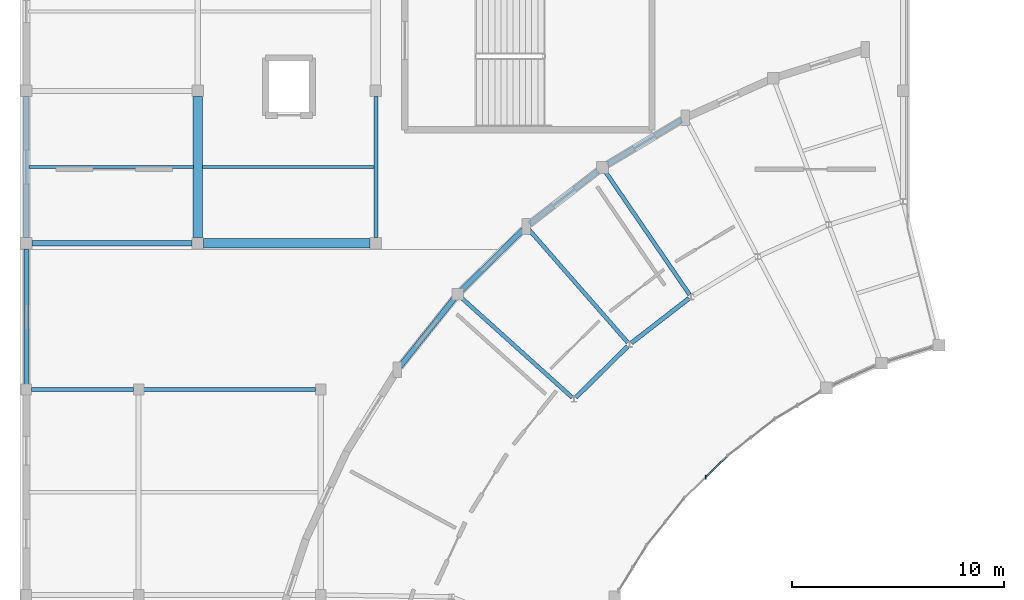
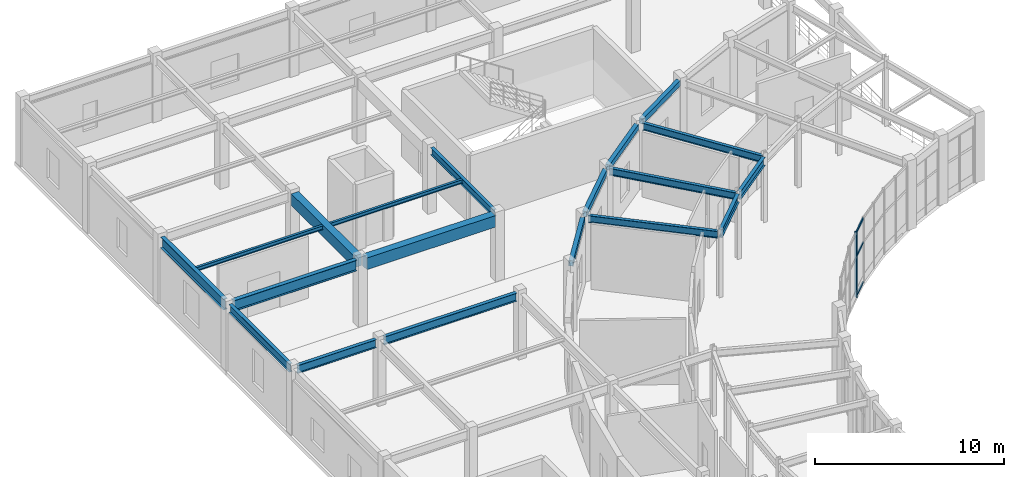
# One storey, part 49 of 112: 19 beams, 4 members, 1 element without a shape of its own.
"""IFC4 building model written with IfcOpenShell, lengths in metres."""

from ifc_helpers import new_model, si_unit, direction, frame, origin, origin_2d, place, context, subcontext, project, spatial, rectangle, hollow_rectangle, i_section, extrude, material, material_profile, profile_set, type_object, element, aggregate, save


model = new_model("IFC4")

# Units and contexts
model_context = context("Model", 3, precision=1e-05, world=origin(), true_north=direction((0.0, 1.0)))
body_context = subcontext(model_context, "Body", "Model", "MODEL_VIEW")
ifc_project = project(units=[si_unit("LENGTHUNIT", "METRE"), si_unit("AREAUNIT", "SQUARE_METRE"), si_unit("VOLUMEUNIT", "CUBIC_METRE"), si_unit("PLANEANGLEUNIT", "RADIAN"), si_unit("MASSUNIT", "GRAM", prefix="KILO")], contexts=[model_context])

# Site, building, storey
site_placement = place(None, origin())
site = spatial("IfcSite", under=ifc_project, at=site_placement, CompositionType="ELEMENT")
building_placement = place(site_placement, origin())
building = spatial("IfcBuilding", under=site, at=building_placement, Name="Cinderbank Siding Concert Hall", CompositionType="ELEMENT")
storey_placement = place(building_placement, frame((0.0, 0.0, 10.199951171875)))
storey = spatial("IfcBuildingStorey", under=building, at=storey_placement, Name="L03", CompositionType="ELEMENT", Elevation=10.199951171875)

# Beams
ifc_material_1 = material(Name="Reinforced concrete AS 3600 N50 (50 MPa)", Category="concrete")
ifc_material_profile_1 = material_profile(ifc_material_1, rectangle(XDim=0.449951171875, YDim=0.75, at=origin_2d()), Name="RC-BM-450x750", Category="LoadBearing")
ifc_profile_set_1 = profile_set([ifc_material_profile_1], Name="Reinforced concrete AS 3600 N50 (50 MPa)")
beam_type_1 = type_object("IfcBeamType", Name="BM-RC750 RC-BM-450x750", PredefinedType="BEAM", material=ifc_profile_set_1)
beam_1_placement = place(storey_placement, frame((15.467041015625, 96.10009765625, 3.886962890625), z_axis=(1.0, 0.0, 0.0), x_axis=(0.0, 1.0, 0.0)))
element("IfcBeam", 1, at=beam_1_placement, inside=storey, type_object=beam_type_1, Name="L03 Beam BM-RC750 #1767", PredefinedType="BEAM", context=body_context, shape_type="SweptSolid", body=[
    extrude(rectangle(XDim=0.449951171875, YDim=0.75, at=origin_2d()), origin(), (0.0, 0.0, 1.0), 7.865966796875),
])
beam_2_placement = place(storey_placement, frame((15.199951171875, 96.366943359375, 3.886962890625), z_axis=(0.0, 1.0, 0.0), x_axis=(-1.0, 0.0, 0.0)))
element("IfcBeam", 2, at=beam_2_placement, inside=storey, type_object=beam_type_1, Name="L03 Beam BM-RC750 #1768", PredefinedType="BEAM", context=body_context, shape_type="SweptSolid", body=[
    extrude(rectangle(XDim=0.449951171875, YDim=0.75, at=origin_2d()), origin(), (0.0, 0.0, 1.0), 6.666015625),
])
ifc_material_2 = material(Name="Structural steel AS/NZS 3679.1 Grade 350 (340 MPa)", Category="steel")
ifc_material_profile_2 = material_profile(ifc_material_2, i_section(OverallWidth=0.18994140625, OverallDepth=0.45751953125, WebThickness=0.009033203125, FlangeThickness=0.014404296875, at=origin_2d()), Name="460UB74.6", Category="LoadBearing")
ifc_profile_set_2 = profile_set([ifc_material_profile_2], Name="Structural steel AS/NZS 3679.1 Grade 350 (340 MPa)")
beam_type_2 = type_object("IfcBeamType", Name="BM-UB460 460UB74.6", PredefinedType="BEAM", material=ifc_profile_set_2)
beam_3_placement = place(storey_placement, frame((38.418212890625, 93.677490234375, 4.013427734375), z_axis=(-0.564964678177, 0.825115090404, 0.0), x_axis=(-0.825115090404, -0.564964678177, 0.0)))
element("IfcBeam", 3, at=beam_3_placement, inside=storey, type_object=beam_type_2, Name="L03 Beam BM-UB460 #996", PredefinedType="BEAM", context=body_context, shape_type="SweptSolid", body=[
    extrude(i_section(OverallWidth=0.18994140625, OverallDepth=0.45751953125, WebThickness=0.009033203125, FlangeThickness=0.014404296875, at=origin_2d()), origin(), (0.0, 0.0, 1.0), 7.01318359375),
])
beam_4_placement = place(storey_placement, frame((35.501708984375, 91.415283203125, 4.013427734375), z_axis=(-0.658709419327, 0.752397435462, 0.0), x_axis=(-0.752397435462, -0.658709419327, 0.0)))
element("IfcBeam", 4, at=beam_4_placement, inside=storey, type_object=beam_type_2, Name="L03 Beam BM-UB460 #999", PredefinedType="BEAM", context=body_context, shape_type="SweptSolid", body=[
    extrude(i_section(OverallWidth=0.18994140625, OverallDepth=0.45751953125, WebThickness=0.009033203125, FlangeThickness=0.014404296875, at=origin_2d()), origin(), (0.0, 0.0, 1.0), 7.088134765625),
])
beam_5_placement = place(storey_placement, frame((32.873291015625, 88.8232421875, 4.013427734375), z_axis=(-0.74314352947, 0.669132045718, 0.0), x_axis=(-0.669132045718, -0.74314352947, 0.0)))
element("IfcBeam", 5, at=beam_5_placement, inside=storey, type_object=beam_type_2, Name="L03 Beam BM-UB460 #1002", PredefinedType="BEAM", context=body_context, shape_type="SweptSolid", body=[
    extrude(i_section(OverallWidth=0.18994140625, OverallDepth=0.45751953125, WebThickness=0.009033203125, FlangeThickness=0.014404296875, at=origin_2d()), origin(), (0.0, 0.0, 1.0), 7.012939453125),
])
beam_6_placement = place(storey_placement, frame((23.60009765625, 96.366943359375, 4.033447265625), z_axis=(0.0, 1.0, 0.0), x_axis=(-1.0, 0.0, 0.0)))
element("IfcBeam", 6, at=beam_6_placement, inside=storey, type_object=beam_type_2, Name="L03 Beam BM-UB460 #1773", PredefinedType="BEAM", context=body_context, shape_type="SweptSolid", body=[
    extrude(i_section(OverallWidth=0.18994140625, OverallDepth=0.45751953125, WebThickness=0.009033203125, FlangeThickness=0.014404296875, at=origin_2d()), origin(), (0.0, 0.0, 1.0), 6.666015625),
])
ifc_material_profile_3 = material_profile(ifc_material_2, i_section(OverallWidth=0.208984375, OverallDepth=0.5283203125, WebThickness=0.009521484375, FlangeThickness=0.01318359375, at=origin_2d()), Name="530UB82.0", Category="LoadBearing")
ifc_profile_set_3 = profile_set([ifc_material_profile_3], Name="Structural steel AS/NZS 3679.1 Grade 350 (340 MPa)")
beam_type_3 = type_object("IfcBeamType", Name="BM-UB530 530UB82.0", PredefinedType="BEAM", material=ifc_profile_set_3)
beam_7_placement = place(storey_placement, frame((38.39111328125, 93.5048828125, 3.97802734375), z_axis=(-0.790177677978, -0.612877832218, 0.0), x_axis=(0.612877832218, -0.790177677978, 0.0)))
element("IfcBeam", 7, at=beam_7_placement, inside=storey, type_object=beam_type_3, Name="L03 Beam BM-UB530 #997", PredefinedType="BEAM", context=body_context, shape_type="SweptSolid", body=[
    extrude(i_section(OverallWidth=0.208984375, OverallDepth=0.5283203125, WebThickness=0.009521484375, FlangeThickness=0.01318359375, at=origin_2d()), origin(), (0.0, 0.0, 1.0), 3.43701171875),
])
beam_8_placement = place(storey_placement, frame((35.4951171875, 91.240478515625, 3.97802734375), z_axis=(-0.712061795805, -0.702116798656, 0.0), x_axis=(0.702116798656, -0.712061795805, 0.0)))
element("IfcBeam", 8, at=beam_8_placement, inside=storey, type_object=beam_type_3, Name="L03 Beam BM-UB530 #1000", PredefinedType="BEAM", context=body_context, shape_type="SweptSolid", body=[
    extrude(i_section(OverallWidth=0.208984375, OverallDepth=0.5283203125, WebThickness=0.009521484375, FlangeThickness=0.01318359375, at=origin_2d()), origin(), (0.0, 0.0, 1.0), 3.436767578125),
])
beam_9_placement = place(storey_placement, frame((7.342041015625, 89.199951171875, 3.998046875), z_axis=(1.0, 0.0, 0.0), x_axis=(0.0, 1.0, 0.0)))
element("IfcBeam", 9, at=beam_9_placement, inside=storey, type_object=beam_type_3, Name="L03 Beam BM-UB530 #1808", PredefinedType="BEAM", context=body_context, shape_type="SweptSolid", body=[
    extrude(i_section(OverallWidth=0.208984375, OverallDepth=0.5283203125, WebThickness=0.009521484375, FlangeThickness=0.01318359375, at=origin_2d()), origin(), (0.0, 0.0, 1.0), 4.81591796875),
])
beam_10_placement = place(storey_placement, frame((7.10009765625, 89.44189453125, 3.998046875), z_axis=(0.0, 1.0, 0.0), x_axis=(-1.0, 0.0, 0.0)))
element("IfcBeam", 10, at=beam_10_placement, inside=storey, type_object=beam_type_3, Name="L03 Beam BM-UB530 #1809", PredefinedType="BEAM", context=body_context, shape_type="SweptSolid", body=[
    extrude(i_section(OverallWidth=0.208984375, OverallDepth=0.5283203125, WebThickness=0.009521484375, FlangeThickness=0.01318359375, at=origin_2d()), origin(), (0.0, 0.0, 1.0), 6.39111328125),
])
beam_11_placement = place(storey_placement, frame((12.64208984375, 89.199951171875, 3.998046875), z_axis=(1.0, 0.0, 0.0), x_axis=(0.0, 1.0, 0.0)))
element("IfcBeam", 11, at=beam_11_placement, inside=storey, type_object=beam_type_3, Name="L03 Beam BM-UB530 #1817", PredefinedType="BEAM", context=body_context, shape_type="SweptSolid", body=[
    extrude(i_section(OverallWidth=0.208984375, OverallDepth=0.5283203125, WebThickness=0.009521484375, FlangeThickness=0.01318359375, at=origin_2d()), origin(), (0.0, 0.0, 1.0), 8.115966796875),
])
ifc_material_3 = material(Name="Structural steel welded plate section AS/NZS 3679.2 / AS/NZS 3678 Grade 350 (340 MPa)", Category="steel")
ifc_material_profile_4 = material_profile(ifc_material_3, i_section(OverallWidth=0.25, OverallDepth=0.699951171875, WebThickness=0.010009765625, FlangeThickness=0.01611328125, at=origin_2d()), Name="700WB130", Category="LoadBearing")
ifc_profile_set_4 = profile_set([ifc_material_profile_4], Name="Structural steel welded plate section AS/NZS 3679.2 / AS/NZS 3678 Grade 350 (340 MPa)")
beam_type_4 = type_object("IfcBeamType", Name="BM-WB700 700WB130", PredefinedType="BEAM", material=ifc_profile_set_4)
beam_12_placement = place(storey_placement, frame((7.366943359375, 96.10009765625, 3.912109375), z_axis=(1.0, 0.0, 0.0), x_axis=(0.0, 1.0, 0.0)))
element("IfcBeam", 12, at=beam_12_placement, inside=storey, type_object=beam_type_4, Name="L03 Beam BM-WB700 #1760", PredefinedType="BEAM", context=body_context, shape_type="SweptSolid", body=[
    extrude(i_section(OverallWidth=0.25, OverallDepth=0.699951171875, WebThickness=0.010009765625, FlangeThickness=0.01611328125, at=origin_2d()), origin(), (0.0, 0.0, 1.0), 7.566162109375),
])
beam_13_placement = place(storey_placement, frame((7.10009765625, 96.366943359375, 3.912109375), z_axis=(0.0, 1.0, 0.0), x_axis=(-1.0, 0.0, 0.0)))
element("IfcBeam", 13, at=beam_13_placement, inside=storey, type_object=beam_type_4, Name="L03 Beam BM-WB700 #1761", PredefinedType="BEAM", context=body_context, shape_type="SweptSolid", body=[
    extrude(i_section(OverallWidth=0.25, OverallDepth=0.699951171875, WebThickness=0.010009765625, FlangeThickness=0.01611328125, at=origin_2d()), origin(), (0.0, 0.0, 1.0), 6.666015625),
])

# Curtain wall, members
ifc_material_4 = material(Name="Anodised aluminium alloy 6063-T6", Category="aluminium")
curtain_wall_type = type_object("IfcCurtainWallType", Name="CW-13 Unitised Acoustic Curtain Wall 4200x4400", PredefinedType="NOTDEFINED", material=ifc_material_4)
curtain_wall_placement = place(storey_placement, origin())
curtain_wall = element("IfcCurtainWall", 14, at=curtain_wall_placement, inside=storey, type_object=curtain_wall_type, Name="L03 Curtain Wall CW-13 #127", PredefinedType="NOTDEFINED")
ifc_material_profile_5 = material_profile(ifc_material_4, rectangle(XDim=0.06494140625, YDim=0.199951171875, at=origin_2d()), Name="ALU-MULL-65x200", Category="LoadBearing")
ifc_profile_set_5 = profile_set([ifc_material_profile_5], Name="Anodised aluminium alloy 6063-T6")
member_type_1 = type_object("IfcMemberType", Name="CW-ML2 Mullion 65x200", PredefinedType="MULLION", material=ifc_profile_set_5)
member_1_placement = place(storey_placement, frame((39.177978515625, 85.05859375, 0.0), z_axis=(0.0, 0.0, 1.0), x_axis=(1.0, 0.0, 0.0)))
member_1 = element("IfcMember", 15, at=member_1_placement, type_object=member_type_1, Name="CW-L03-127 Mullion 1", PredefinedType="MULLION", context=body_context, shape_type="SweptSolid", body=[
    extrude(rectangle(XDim=0.06494140625, YDim=0.199951171875, at=origin_2d()), origin(), (0.0, 0.0, 1.0), 4.22509765625),
])
ifc_material_profile_6 = material_profile(ifc_material_4, rectangle(XDim=0.06494140625, YDim=0.14990234375, at=origin_2d()), Name="ALU-TRAN-65x150", Category="LoadBearing")
ifc_profile_set_6 = profile_set([ifc_material_profile_6], Name="Anodised aluminium alloy 6063-T6")
member_type_2 = type_object("IfcMemberType", Name="CW-TR2 Transom 65x150", PredefinedType="USERDEFINED", material=ifc_profile_set_6)
member_2_placement = place(storey_placement, frame((40.140869140625, 86.008056640625, 0.06005859375), z_axis=(-0.711949481775, -0.702230685316, 0.0), x_axis=(0.702230685316, -0.711949481775, 0.0)))
member_2 = element("IfcMember", 16, at=member_2_placement, type_object=member_type_2, Name="CW-L03-127 Transom 0-0", ObjectType="TRANSOM", PredefinedType="USERDEFINED", context=body_context, shape_type="SweptSolid", body=[
    extrude(rectangle(XDim=0.06494140625, YDim=0.14990234375, at=origin_2d()), origin(), (0.0, 0.0, 1.0), 1.28125),
])
member_3_placement = place(storey_placement, frame((40.140869140625, 86.008056640625, 2.61962890625), z_axis=(-0.711949481775, -0.702230685316, 0.0), x_axis=(0.702230685316, -0.711949481775, 0.0)))
member_3 = element("IfcMember", 17, at=member_3_placement, type_object=member_type_2, Name="CW-L03-127 Transom 0-1", ObjectType="TRANSOM", PredefinedType="USERDEFINED", context=body_context, shape_type="SweptSolid", body=[
    extrude(rectangle(XDim=0.06494140625, YDim=0.14990234375, at=origin_2d()), origin(), (0.0, 0.0, 1.0), 1.28125),
])
member_4_placement = place(storey_placement, frame((40.140869140625, 86.008056640625, 4.1650390625), z_axis=(-0.711949481775, -0.702230685316, 0.0), x_axis=(0.702230685316, -0.711949481775, 0.0)))
member_4 = element("IfcMember", 18, at=member_4_placement, type_object=member_type_2, Name="CW-L03-127 Transom 0-2", ObjectType="TRANSOM", PredefinedType="USERDEFINED", context=body_context, shape_type="SweptSolid", body=[
    extrude(rectangle(XDim=0.06494140625, YDim=0.14990234375, at=origin_2d()), origin(), (0.0, 0.0, 1.0), 1.28125),
])
aggregate(curtain_wall, [member_1, member_2, member_3, member_4])

# Beams
ifc_material_profile_7 = material_profile(ifc_material_2, i_section(OverallWidth=0.14599609375, OverallDepth=0.251708984375, WebThickness=0.006103515625, FlangeThickness=0.008544921875, at=origin_2d()), Name="250UB31.4", Category="LoadBearing")
ifc_profile_set_7 = profile_set([ifc_material_profile_7], Name="Structural steel AS/NZS 3679.1 Grade 350 (340 MPa)")
beam_type_5 = type_object("IfcBeamType", Name="JS-UB250 250UB31.4", PredefinedType="JOIST", material=ifc_profile_set_7)
beam_14_placement = place(storey_placement, frame((7.217041015625, 99.699951171875, 4.13623046875), z_axis=(1.0, 0.0, 0.0), x_axis=(0.0, 1.0, 0.0)))
element("IfcBeam", 19, at=beam_14_placement, inside=storey, type_object=beam_type_5, Name="L03 Beam JS-UB250 #1830", PredefinedType="JOIST", context=body_context, shape_type="SweptSolid", body=[
    extrude(i_section(OverallWidth=0.14599609375, OverallDepth=0.251708984375, WebThickness=0.006103515625, FlangeThickness=0.008544921875, at=origin_2d()), origin(), (0.0, 0.0, 1.0), 7.765869140625),
])
beam_15_placement = place(storey_placement, frame((15.4169921875, 99.699951171875, 4.13623046875), z_axis=(1.0, 0.0, 0.0), x_axis=(0.0, 1.0, 0.0)))
element("IfcBeam", 20, at=beam_15_placement, inside=storey, type_object=beam_type_5, Name="L03 Beam JS-UB250 #1833", PredefinedType="JOIST", context=body_context, shape_type="SweptSolid", body=[
    extrude(i_section(OverallWidth=0.14599609375, OverallDepth=0.251708984375, WebThickness=0.006103515625, FlangeThickness=0.008544921875, at=origin_2d()), origin(), (0.0, 0.0, 1.0), 8.095947265625),
])
ifc_material_5 = material(Name="Structural steel hollow section AS/NZS 1163 Grade C350L0 (350 MPa)", Category="steel")
ifc_material_profile_8 = material_profile(ifc_material_5, hollow_rectangle(XDim=0.25, YDim=0.35009765625, WallThickness=0.012451171875, at=origin_2d()), Name="350x250x12.5RHS", Category="LoadBearing")
ifc_profile_set_8 = profile_set([ifc_material_profile_8], Name="Structural steel hollow section AS/NZS 1163 Grade C350L0 (350 MPa)")
beam_type_6 = type_object("IfcBeamType", Name="SP-RHS350 350x250x12.5RHS", PredefinedType="SPANDREL", material=ifc_profile_set_8)
for number, where, z_axis, x_axis, name in (
    (21, (38.044921875, 101.931396484375, 4.067138671875), (-0.857177187434, -0.515021620267, 0.0), (0.515021620267, -0.857177187434, 0.0), "L03 Beam SP-RHS350 #995"),
    (22, (34.09423828125, 99.520751953125, 4.067138671875), (-0.790166778688, -0.612891884314, 0.0), (0.612891884314, -0.790166778688, 0.0), "L03 Beam SP-RHS350 #998"),
    (23, (30.569580078125, 96.7578125, 4.067138671875), (-0.712037071466, -0.702141872315, 0.0), (0.702141872315, -0.712037071466, 0.0), "L03 Beam SP-RHS350 #1001"),
):
    element("IfcBeam", number, at=place(storey_placement, frame(where, z_axis=z_axis, x_axis=x_axis)), inside=storey, type_object=beam_type_6, Name=name, PredefinedType="SPANDREL", context=body_context, shape_type="SweptSolid", body=[
        extrude(hollow_rectangle(XDim=0.25, YDim=0.35009765625, WallThickness=0.012451171875, at=origin_2d()), origin(), (0.0, 0.0, 1.0), 4.095703125),
    ])
beam_16_placement = place(storey_placement, frame((27.296630859375, 93.48583984375, 4.067138671875), z_axis=(-0.623895052122, -0.781508134275, 0.0), x_axis=(0.781508134275, -0.623895052122, 0.0)))
element("IfcBeam", 24, at=beam_16_placement, inside=storey, type_object=beam_type_6, Name="L03 Beam SP-RHS350 #1003", PredefinedType="SPANDREL", context=body_context, shape_type="SweptSolid", body=[
    extrude(hollow_rectangle(XDim=0.25, YDim=0.35009765625, WallThickness=0.012451171875, at=origin_2d()), origin(), (0.0, 0.0, 1.0), 4.095458984375),
])

save(model, "model.ifc")
